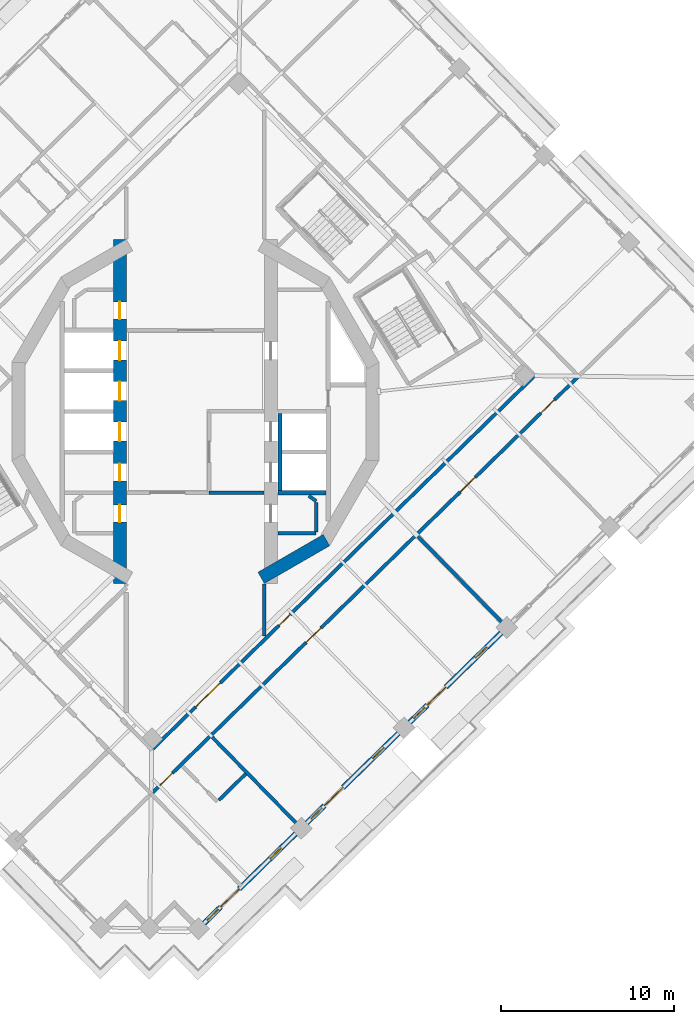
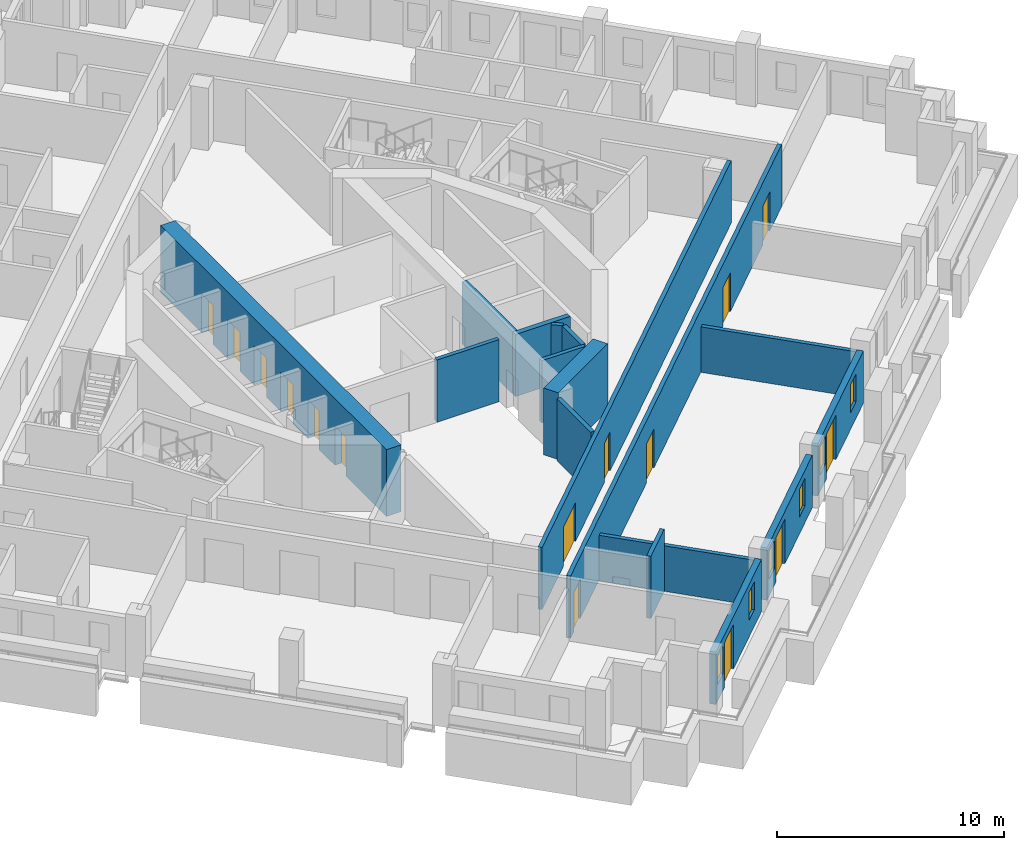
# One storey, part 6 of 17: 17 walls, 15 doors, 6 windows, 21 openings.
"""IFC4 building model written with IfcOpenShell, lengths in metres."""

from ifc_helpers import new_model, si_unit, direction, frame, frame_2d, origin, place, context, subcontext, project, spatial, rectangle, extrude, material, layer, layer_set, type_object, element, fill, save


model = new_model("IFC4")

# Units and contexts
model_context = context("Model", 3, precision=1e-05, world=origin(), true_north=direction((0.0, 1.0)))
body_context = subcontext(model_context, "Body", "Model", "MODEL_VIEW")
ifc_project = project(units=[si_unit("LENGTHUNIT", "METRE"), si_unit("AREAUNIT", "SQUARE_METRE"), si_unit("VOLUMEUNIT", "CUBIC_METRE"), si_unit("PLANEANGLEUNIT", "RADIAN"), si_unit("MASSUNIT", "GRAM", prefix="KILO")], contexts=[model_context])

# Site, building, storey
site_placement = place(None, origin())
site = spatial("IfcSite", under=ifc_project, at=site_placement, CompositionType="ELEMENT")
building_placement = place(site_placement, origin())
building = spatial("IfcBuilding", under=site, at=building_placement, Name="Cantera Rosa Tower", CompositionType="ELEMENT")
storey_placement = place(building_placement, frame((0.0, 0.0, 237.800048828125)))
storey = spatial("IfcBuildingStorey", under=building, at=storey_placement, Name="L52", CompositionType="ELEMENT", Elevation=237.800048828125)

# Wall, openings, doors
ifc_material_1 = material(Name="Gypsum board partition")
ifc_layer_1 = layer(ifc_material_1, 0.199951171875)
ifc_layer_set_1 = layer_set([ifc_layer_1], Name="CORRIDOR WALL 200 H3350")
wall_type_1 = type_object("IfcWallType", Name="CORRIDOR WALL 200 H3350", PredefinedType="PARTITIONING", material=ifc_layer_set_1)
wall_1_placement = place(storey_placement, frame((-2.469970703125, -22.0556640625, 0.0), z_axis=(0.0, 0.0, 1.0), x_axis=(0.715286619748, 0.698831203946, 0.0)))
wall_1 = element("IfcWall", 1, at=wall_1_placement, inside=storey, type_object=wall_type_1, Name="CORRIDOR WALL L52-057", PredefinedType="PARTITIONING", context=body_context, shape_type="SweptSolid", body=[
    extrude(rectangle(XDim=34.47998046875, YDim=0.199951171875, at=frame_2d((17.239990234375, 0.0))), origin(), (0.0, 0.0, 1.0), 3.349853515625),
])
opening_1_placement = place(wall_1_placement, frame((12.419921875, 0.0, 0.0)))
opening_1 = element("IfcOpeningElement", 2, at=opening_1_placement, cuts=wall_1, Name="Opening L52-047", PredefinedType="OPENING", context=body_context, shape_type="SweptSolid", body=[
    extrude(rectangle(XDim=1.199951171875, YDim=2.10009765625, at=frame_2d((0.60009765625, 1.050048828125))), frame((0.0, 0.10986328125, 0.0), z_axis=(0.0, -1.0, 0.0), x_axis=(1.0, 0.0, 0.0)), (0.0, 0.0, 1.0), 0.219970703125),
])
opening_2_placement = place(wall_1_placement, frame((24.89990234375, 0.0, 0.0)))
opening_2 = element("IfcOpeningElement", 3, at=opening_2_placement, cuts=wall_1, Name="Opening L52-048", PredefinedType="OPENING", context=body_context, shape_type="SweptSolid", body=[
    extrude(rectangle(XDim=1.199951171875, YDim=2.10009765625, at=frame_2d((0.60009765625, 1.050048828125))), frame((0.0, 0.10986328125, 0.0), z_axis=(0.0, -1.0, 0.0), x_axis=(1.0, 0.0, 0.0)), (0.0, 0.0, 1.0), 0.219970703125),
])
opening_3_placement = place(wall_1_placement, frame((0.590087890625, 0.0, 0.0)))
opening_3 = element("IfcOpeningElement", 4, at=opening_3_placement, cuts=wall_1, Name="Opening L52-049", PredefinedType="OPENING", context=body_context, shape_type="SweptSolid", body=[
    extrude(rectangle(XDim=1.0, YDim=2.10009765625, at=frame_2d((0.5, 1.050048828125))), frame((0.0, 0.10986328125, 0.0), z_axis=(0.0, -1.0, 0.0), x_axis=(1.0, 0.0, 0.0)), (0.0, 0.0, 1.0), 0.219970703125),
])
opening_4_placement = place(wall_1_placement, frame((31.429931640625, 0.0, 0.0)))
opening_4 = element("IfcOpeningElement", 5, at=opening_4_placement, cuts=wall_1, Name="Opening L52-052", PredefinedType="OPENING", context=body_context, shape_type="SweptSolid", body=[
    extrude(rectangle(XDim=1.10009765625, YDim=2.10009765625, at=frame_2d((0.550048828125, 1.050048828125))), frame((0.0, 0.10986328125, 0.0), z_axis=(0.0, -1.0, 0.0), x_axis=(1.0, 0.0, 0.0)), (0.0, 0.0, 1.0), 0.219970703125),
])
ifc_material_2 = material(Name="Timber door leaf", Category="wood")
door_type_1 = type_object("IfcDoorType", Name="ENTRANCE DOOR 1000x2100", OperationType="NOTDEFINED", PredefinedType="DOOR", material=ifc_material_2)
door_1_placement = place(opening_3_placement, origin())
door_1 = element("IfcDoor", 6, at=door_1_placement, inside=storey, type_object=door_type_1, Name="DOOR L52-049", OperationType="NOTDEFINED", OverallHeight=2.10009765625, OverallWidth=1.0, PredefinedType="DOOR", context=body_context, shape_type="SweptSolid", body=[
    extrude(rectangle(XDim=1.0, YDim=2.10009765625, at=frame_2d((0.5, 1.050048828125))), frame((0.0, 0.02490234375, 0.0), z_axis=(0.0, -1.0, 0.0), x_axis=(1.0, 0.0, 0.0)), (0.0, 0.0, 1.0), 0.050048828125),
])
fill(opening_3, door_1)
ifc_material_3 = material(Name="Timber door leaf", Category="wood")
door_type_2 = type_object("IfcDoorType", Name="ROOM DOOR 1100x2100", OperationType="NOTDEFINED", PredefinedType="DOOR", material=ifc_material_3)
door_2_placement = place(opening_4_placement, origin())
door_2 = element("IfcDoor", 7, at=door_2_placement, inside=storey, type_object=door_type_2, Name="DOOR L52-052", OperationType="NOTDEFINED", OverallHeight=2.10009765625, OverallWidth=1.10009765625, PredefinedType="DOOR", context=body_context, shape_type="SweptSolid", body=[
    extrude(rectangle(XDim=1.10009765625, YDim=2.10009765625, at=frame_2d((0.550048828125, 1.050048828125))), frame((0.0, 0.02490234375, 0.0), z_axis=(0.0, -1.0, 0.0), x_axis=(1.0, 0.0, 0.0)), (0.0, 0.0, 1.0), 0.050048828125),
])
fill(opening_4, door_2)
ifc_material_4 = material(Name="Timber door leaf", Category="wood")
door_type_3 = type_object("IfcDoorType", Name="ROOM DOOR 1200x2100", OperationType="NOTDEFINED", PredefinedType="DOOR", material=ifc_material_4)
door_3_placement = place(opening_1_placement, origin())
door_3 = element("IfcDoor", 8, at=door_3_placement, inside=storey, type_object=door_type_3, Name="DOOR L52-047", OperationType="NOTDEFINED", OverallHeight=2.10009765625, OverallWidth=1.199951171875, PredefinedType="DOOR", context=body_context, shape_type="SweptSolid", body=[
    extrude(rectangle(XDim=1.199951171875, YDim=2.10009765625, at=frame_2d((0.60009765625, 1.050048828125))), frame((0.0, 0.02490234375, 0.0), z_axis=(0.0, -1.0, 0.0), x_axis=(1.0, 0.0, 0.0)), (0.0, 0.0, 1.0), 0.050048828125),
])
fill(opening_1, door_3)
door_4_placement = place(opening_2_placement, origin())
door_4 = element("IfcDoor", 9, at=door_4_placement, inside=storey, type_object=door_type_3, Name="DOOR L52-048", OperationType="NOTDEFINED", OverallHeight=2.10009765625, OverallWidth=1.199951171875, PredefinedType="DOOR", context=body_context, shape_type="SweptSolid", body=[
    extrude(rectangle(XDim=1.199951171875, YDim=2.10009765625, at=frame_2d((0.60009765625, 1.050048828125))), frame((0.0, 0.02490234375, 0.0), z_axis=(0.0, -1.0, 0.0), x_axis=(1.0, 0.0, 0.0)), (0.0, 0.0, 1.0), 0.050048828125),
])
fill(opening_2, door_4)

wall_2_placement = place(storey_placement, frame((-2.45458984375, -19.5244140625, 0.0), z_axis=(0.0, 0.0, 1.0), x_axis=(0.715283867267, 0.698834021229, 0.0)))
wall_2 = element("IfcWall", 10, at=wall_2_placement, inside=storey, type_object=wall_type_1, Name="CORRIDOR WALL L52-058", PredefinedType="PARTITIONING", context=body_context, shape_type="SweptSolid", body=[
    extrude(rectangle(XDim=30.900146484375, YDim=0.199951171875, at=frame_2d((15.4501953125, 0.0))), origin(), (0.0, 0.0, 1.0), 3.349853515625),
])
opening_5_placement = place(wall_2_placement, frame((10.20458984375, 0.0, 0.0)))
opening_5 = element("IfcOpeningElement", 11, at=opening_5_placement, cuts=wall_2, Name="Opening L52-011", PredefinedType="OPENING", context=body_context, shape_type="SweptSolid", body=[
    extrude(rectangle(XDim=0.89990234375, YDim=2.10009765625, at=frame_2d((0.449951171875, 1.050048828125))), frame((0.0, 0.10986328125, 0.0), z_axis=(0.0, -1.0, 0.0), x_axis=(1.0, 0.0, 0.0)), (0.0, 0.0, 1.0), 0.219970703125),
])
opening_6_placement = place(wall_2_placement, frame((3.4619140625, 0.0, 0.0)))
opening_6 = element("IfcOpeningElement", 12, at=opening_6_placement, cuts=wall_2, Name="Opening L52-014", PredefinedType="OPENING", context=body_context, shape_type="SweptSolid", body=[
    extrude(rectangle(XDim=2.0, YDim=2.10009765625, at=frame_2d((1.0, 1.050048828125))), frame((0.0, 0.10986328125, 0.0), z_axis=(0.0, -1.0, 0.0), x_axis=(1.0, 0.0, 0.0)), (0.0, 0.0, 1.0), 0.219970703125),
])
ifc_material_5 = material(Name="Steel S355J2 (EN 10025-2)", Category="steel")
door_type_4 = type_object("IfcDoorType", Name="LOBBY SCREEN DOOR 2000x2100", OperationType="NOTDEFINED", PredefinedType="DOOR", material=ifc_material_5)
door_5_placement = place(opening_6_placement, origin())
door_5 = element("IfcDoor", 13, at=door_5_placement, inside=storey, type_object=door_type_4, Name="DOOR L52-014", OperationType="NOTDEFINED", OverallHeight=2.10009765625, OverallWidth=2.0, PredefinedType="DOOR", context=body_context, shape_type="SweptSolid", body=[
    extrude(rectangle(XDim=2.0, YDim=2.10009765625, at=frame_2d((1.0, 1.050048828125))), frame((0.0, 0.02490234375, 0.0), z_axis=(0.0, -1.0, 0.0), x_axis=(1.0, 0.0, 0.0)), (0.0, 0.0, 1.0), 0.050048828125),
])
fill(opening_6, door_5)
ifc_material_6 = material(Name="Timber door leaf", Category="wood")
door_type_5 = type_object("IfcDoorType", Name="SERVICE DOOR 900x2100", OperationType="NOTDEFINED", PredefinedType="DOOR", material=ifc_material_6)
door_6_placement = place(opening_5_placement, origin())
door_6 = element("IfcDoor", 14, at=door_6_placement, inside=storey, type_object=door_type_5, Name="DOOR L52-011", OperationType="NOTDEFINED", OverallHeight=2.10009765625, OverallWidth=0.89990234375, PredefinedType="DOOR", context=body_context, shape_type="SweptSolid", body=[
    extrude(rectangle(XDim=0.89990234375, YDim=2.10009765625, at=frame_2d((0.449951171875, 1.050048828125))), frame((0.0, 0.02490234375, 0.0), z_axis=(0.0, -1.0, 0.0), x_axis=(1.0, 0.0, 0.0)), (0.0, 0.0, 1.0), 0.050048828125),
])
fill(opening_5, door_6)

# Wall
wall_3_placement = place(storey_placement, frame((4.0, -12.998046875, 0.0), z_axis=(0.0, 0.0, 1.0), x_axis=(0.0, 1.0, 0.0)))
element("IfcWall", 15, at=wall_3_placement, inside=storey, type_object=wall_type_1, Name="CORRIDOR WALL L52-070", PredefinedType="PARTITIONING", context=body_context, shape_type="SweptSolid", body=[
    extrude(rectangle(XDim=3.00390625, YDim=0.199951171875, at=frame_2d((1.501953125, 0.0))), origin(), (0.0, 0.0, 1.0), 3.349853515625),
])

# Wall, openings, windows, door
ifc_material_7 = material(Name="Hollow clay masonry with cantera stone cladding", Category="masonry")
ifc_layer_2 = layer(ifc_material_7, 0.300048828125)
ifc_layer_set_2 = layer_set([ifc_layer_2], Name="EW-LOGGIA 300 H2820")
wall_type_2 = type_object("IfcWallType", Name="EW-LOGGIA 300 H2820", PredefinedType="SOLIDWALL", material=ifc_layer_set_2)
wall_4_placement = place(storey_placement, frame((0.503662109375, -29.6357421875, 0.0), z_axis=(0.0, 0.0, 1.0), x_axis=(0.715284379566, 0.698833496871, 0.0)))
wall_4 = element("IfcWall", 16, at=wall_4_placement, inside=storey, type_object=wall_type_2, Name="EN-L52-W21", PredefinedType="SOLIDWALL", context=body_context, shape_type="SweptSolid", body=[
    extrude(rectangle(XDim=7.42041015625, YDim=0.300048828125, at=frame_2d((3.710205078125, 0.0))), origin(), (0.0, 0.0, 1.0), 2.820068359375),
])
opening_7_placement = place(wall_4_placement, frame((0.25, 0.0, 0.89990234375)))
opening_7 = element("IfcOpeningElement", 17, at=opening_7_placement, cuts=wall_4, Name="Opening L52-W37", PredefinedType="OPENING", context=body_context, shape_type="SweptSolid", body=[
    extrude(rectangle(XDim=0.89990234375, YDim=1.5, at=frame_2d((0.449951171875, 0.75))), frame((0.0, 0.159912109375, 0.0), z_axis=(0.0, -1.0, 0.0), x_axis=(1.0, 0.0, 0.0)), (0.0, 0.0, 1.0), 0.320068359375),
])
opening_8_placement = place(wall_4_placement, frame((1.35009765625, 0.0, 0.0)))
opening_8 = element("IfcOpeningElement", 18, at=opening_8_placement, cuts=wall_4, Name="Opening L52-TD38", PredefinedType="OPENING", context=body_context, shape_type="SweptSolid", body=[
    extrude(rectangle(XDim=1.5, YDim=2.39990234375, at=frame_2d((0.75, 1.199951171875))), frame((0.0, 0.159912109375, 0.0), z_axis=(0.0, -1.0, 0.0), x_axis=(1.0, 0.0, 0.0)), (0.0, 0.0, 1.0), 0.320068359375),
])
opening_9_placement = place(wall_4_placement, frame((5.340087890625, 0.0, 0.89990234375)))
opening_9 = element("IfcOpeningElement", 19, at=opening_9_placement, cuts=wall_4, Name="Opening L52-W39", PredefinedType="OPENING", context=body_context, shape_type="SweptSolid", body=[
    extrude(rectangle(XDim=0.89990234375, YDim=1.5, at=frame_2d((0.449951171875, 0.75))), frame((0.0, 0.159912109375, 0.0), z_axis=(0.0, -1.0, 0.0), x_axis=(1.0, 0.0, 0.0)), (0.0, 0.0, 1.0), 0.320068359375),
])
ifc_material_8 = material(Name="Aluminium frame with clear glass", Category="aluminium")
window_type = type_object("IfcWindowType", Name="Residential window 900x1500", PartitioningType="SINGLE_PANEL", PredefinedType="WINDOW", material=ifc_material_8)
window_1_placement = place(opening_7_placement, origin())
window_1 = element("IfcWindow", 20, at=window_1_placement, inside=storey, type_object=window_type, Name="WINDOW L52-W37", OverallHeight=1.5, OverallWidth=0.89990234375, PartitioningType="SINGLE_PANEL", PredefinedType="WINDOW", context=body_context, shape_type="SweptSolid", body=[
    extrude(rectangle(XDim=0.89990234375, YDim=1.5, at=frame_2d((0.449951171875, 0.75))), frame((0.0, 0.030029296875, 0.0), z_axis=(0.0, -1.0, 0.0), x_axis=(1.0, 0.0, 0.0)), (0.0, 0.0, 1.0), 0.06005859375),
])
fill(opening_7, window_1)
window_2_placement = place(opening_9_placement, origin())
window_2 = element("IfcWindow", 21, at=window_2_placement, inside=storey, type_object=window_type, Name="WINDOW L52-W39", OverallHeight=1.5, OverallWidth=0.89990234375, PartitioningType="SINGLE_PANEL", PredefinedType="WINDOW", context=body_context, shape_type="SweptSolid", body=[
    extrude(rectangle(XDim=0.89990234375, YDim=1.5, at=frame_2d((0.449951171875, 0.75))), frame((0.0, 0.030029296875, 0.0), z_axis=(0.0, -1.0, 0.0), x_axis=(1.0, 0.0, 0.0)), (0.0, 0.0, 1.0), 0.06005859375),
])
fill(opening_9, window_2)
ifc_material_9 = material(Name="Aluminium frame with clear glass", Category="aluminium")
door_type_6 = type_object("IfcDoorType", Name="TD-R 1500x2400", OperationType="NOTDEFINED", PredefinedType="DOOR", material=ifc_material_9)
door_7_placement = place(opening_8_placement, origin())
door_7 = element("IfcDoor", 22, at=door_7_placement, inside=storey, type_object=door_type_6, Name="LOGGIA DOOR L52-TD38", OperationType="SLIDING_TO_LEFT", OverallHeight=2.39990234375, OverallWidth=1.5, PredefinedType="DOOR", context=body_context, shape_type="SweptSolid", body=[
    extrude(rectangle(XDim=1.5, YDim=2.39990234375, at=frame_2d((0.75, 1.199951171875))), frame((0.0, 0.02490234375, 0.0), z_axis=(0.0, -1.0, 0.0), x_axis=(1.0, 0.0, 0.0)), (0.0, 0.0, 1.0), 0.050048828125),
])
fill(opening_8, door_7)

wall_5_placement = place(storey_placement, frame((6.454833984375, -23.8212890625, 0.0), z_axis=(0.0, 0.0, 1.0), x_axis=(0.715300826176, 0.698816662703, 0.0)))
wall_5 = element("IfcWall", 23, at=wall_5_placement, inside=storey, type_object=wall_type_2, Name="EN-L52-W22", PredefinedType="SOLIDWALL", context=body_context, shape_type="SweptSolid", body=[
    extrude(rectangle(XDim=7.420166015625, YDim=0.300048828125, at=frame_2d((3.7099609375, 0.0))), origin(), (0.0, 0.0, 1.0), 2.820068359375),
])
opening_10_placement = place(wall_5_placement, frame((0.330078125, 0.0, 0.89990234375)))
opening_10 = element("IfcOpeningElement", 24, at=opening_10_placement, cuts=wall_5, Name="Opening L52-W40", PredefinedType="OPENING", context=body_context, shape_type="SweptSolid", body=[
    extrude(rectangle(XDim=0.89990234375, YDim=1.5, at=frame_2d((0.449951171875, 0.75))), frame((0.0, 0.159912109375, 0.0), z_axis=(0.0, -1.0, 0.0), x_axis=(1.0, 0.0, 0.0)), (0.0, 0.0, 1.0), 0.320068359375),
])
opening_11_placement = place(wall_5_placement, frame((1.429931640625, 0.0, 0.0)))
opening_11 = element("IfcOpeningElement", 25, at=opening_11_placement, cuts=wall_5, Name="Opening L52-TD41", PredefinedType="OPENING", context=body_context, shape_type="SweptSolid", body=[
    extrude(rectangle(XDim=1.5, YDim=2.39990234375, at=frame_2d((0.75, 1.199951171875))), frame((0.0, 0.159912109375, 0.0), z_axis=(0.0, -1.0, 0.0), x_axis=(1.0, 0.0, 0.0)), (0.0, 0.0, 1.0), 0.320068359375),
])
opening_12_placement = place(wall_5_placement, frame((5.340087890625, 0.0, 0.89990234375)))
opening_12 = element("IfcOpeningElement", 26, at=opening_12_placement, cuts=wall_5, Name="Opening L52-W42", PredefinedType="OPENING", context=body_context, shape_type="SweptSolid", body=[
    extrude(rectangle(XDim=0.89990234375, YDim=1.5, at=frame_2d((0.449951171875, 0.75))), frame((0.0, 0.159912109375, 0.0), z_axis=(0.0, -1.0, 0.0), x_axis=(1.0, 0.0, 0.0)), (0.0, 0.0, 1.0), 0.320068359375),
])
window_3_placement = place(opening_10_placement, origin())
window_3 = element("IfcWindow", 27, at=window_3_placement, inside=storey, type_object=window_type, Name="WINDOW L52-W40", OverallHeight=1.5, OverallWidth=0.89990234375, PartitioningType="SINGLE_PANEL", PredefinedType="WINDOW", context=body_context, shape_type="SweptSolid", body=[
    extrude(rectangle(XDim=0.89990234375, YDim=1.5, at=frame_2d((0.449951171875, 0.75))), frame((0.0, 0.030029296875, 0.0), z_axis=(0.0, -1.0, 0.0), x_axis=(1.0, 0.0, 0.0)), (0.0, 0.0, 1.0), 0.06005859375),
])
fill(opening_10, window_3)
window_4_placement = place(opening_12_placement, origin())
window_4 = element("IfcWindow", 28, at=window_4_placement, inside=storey, type_object=window_type, Name="WINDOW L52-W42", OverallHeight=1.5, OverallWidth=0.89990234375, PartitioningType="SINGLE_PANEL", PredefinedType="WINDOW", context=body_context, shape_type="SweptSolid", body=[
    extrude(rectangle(XDim=0.89990234375, YDim=1.5, at=frame_2d((0.449951171875, 0.75))), frame((0.0, 0.030029296875, 0.0), z_axis=(0.0, -1.0, 0.0), x_axis=(1.0, 0.0, 0.0)), (0.0, 0.0, 1.0), 0.06005859375),
])
fill(opening_12, window_4)
door_8_placement = place(opening_11_placement, origin())
door_8 = element("IfcDoor", 29, at=door_8_placement, inside=storey, type_object=door_type_6, Name="LOGGIA DOOR L52-TD41", OperationType="SLIDING_TO_LEFT", OverallHeight=2.39990234375, OverallWidth=1.5, PredefinedType="DOOR", context=body_context, shape_type="SweptSolid", body=[
    extrude(rectangle(XDim=1.5, YDim=2.39990234375, at=frame_2d((0.75, 1.199951171875))), frame((0.0, 0.02490234375, 0.0), z_axis=(0.0, -1.0, 0.0), x_axis=(1.0, 0.0, 0.0)), (0.0, 0.0, 1.0), 0.050048828125),
])
fill(opening_11, door_8)

wall_6_placement = place(storey_placement, frame((12.406005859375, -18.007080078125, 0.0), z_axis=(0.0, 0.0, 1.0), x_axis=(0.715300826176, 0.698816662703, 0.0)))
wall_6 = element("IfcWall", 30, at=wall_6_placement, inside=storey, type_object=wall_type_2, Name="EN-L52-W23", PredefinedType="SOLIDWALL", context=body_context, shape_type="SweptSolid", body=[
    extrude(rectangle(XDim=7.420166015625, YDim=0.300048828125, at=frame_2d((3.7099609375, 0.0))), origin(), (0.0, 0.0, 1.0), 2.820068359375),
])
opening_13_placement = place(wall_6_placement, frame((0.330078125, 0.0, 0.89990234375)))
opening_13 = element("IfcOpeningElement", 31, at=opening_13_placement, cuts=wall_6, Name="Opening L52-W43", PredefinedType="OPENING", context=body_context, shape_type="SweptSolid", body=[
    extrude(rectangle(XDim=0.89990234375, YDim=1.5, at=frame_2d((0.449951171875, 0.75))), frame((0.0, 0.159912109375, 0.0), z_axis=(0.0, -1.0, 0.0), x_axis=(1.0, 0.0, 0.0)), (0.0, 0.0, 1.0), 0.320068359375),
])
opening_14_placement = place(wall_6_placement, frame((1.429931640625, 0.0, 0.0)))
opening_14 = element("IfcOpeningElement", 32, at=opening_14_placement, cuts=wall_6, Name="Opening L52-TD44", PredefinedType="OPENING", context=body_context, shape_type="SweptSolid", body=[
    extrude(rectangle(XDim=1.5, YDim=2.39990234375, at=frame_2d((0.75, 1.199951171875))), frame((0.0, 0.159912109375, 0.0), z_axis=(0.0, -1.0, 0.0), x_axis=(1.0, 0.0, 0.0)), (0.0, 0.0, 1.0), 0.320068359375),
])
opening_15_placement = place(wall_6_placement, frame((5.340087890625, 0.0, 0.89990234375)))
opening_15 = element("IfcOpeningElement", 33, at=opening_15_placement, cuts=wall_6, Name="Opening L52-W45", PredefinedType="OPENING", context=body_context, shape_type="SweptSolid", body=[
    extrude(rectangle(XDim=0.89990234375, YDim=1.5, at=frame_2d((0.449951171875, 0.75))), frame((0.0, 0.159912109375, 0.0), z_axis=(0.0, -1.0, 0.0), x_axis=(1.0, 0.0, 0.0)), (0.0, 0.0, 1.0), 0.320068359375),
])
window_5_placement = place(opening_13_placement, origin())
window_5 = element("IfcWindow", 34, at=window_5_placement, inside=storey, type_object=window_type, Name="WINDOW L52-W43", OverallHeight=1.5, OverallWidth=0.89990234375, PartitioningType="SINGLE_PANEL", PredefinedType="WINDOW", context=body_context, shape_type="SweptSolid", body=[
    extrude(rectangle(XDim=0.89990234375, YDim=1.5, at=frame_2d((0.449951171875, 0.75))), frame((0.0, 0.030029296875, 0.0), z_axis=(0.0, -1.0, 0.0), x_axis=(1.0, 0.0, 0.0)), (0.0, 0.0, 1.0), 0.06005859375),
])
fill(opening_13, window_5)
window_6_placement = place(opening_15_placement, origin())
window_6 = element("IfcWindow", 35, at=window_6_placement, inside=storey, type_object=window_type, Name="WINDOW L52-W45", OverallHeight=1.5, OverallWidth=0.89990234375, PartitioningType="SINGLE_PANEL", PredefinedType="WINDOW", context=body_context, shape_type="SweptSolid", body=[
    extrude(rectangle(XDim=0.89990234375, YDim=1.5, at=frame_2d((0.449951171875, 0.75))), frame((0.0, 0.030029296875, 0.0), z_axis=(0.0, -1.0, 0.0), x_axis=(1.0, 0.0, 0.0)), (0.0, 0.0, 1.0), 0.06005859375),
])
fill(opening_15, window_6)
door_9_placement = place(opening_14_placement, origin())
door_9 = element("IfcDoor", 36, at=door_9_placement, inside=storey, type_object=door_type_6, Name="LOGGIA DOOR L52-TD44", OperationType="SLIDING_TO_LEFT", OverallHeight=2.39990234375, OverallWidth=1.5, PredefinedType="DOOR", context=body_context, shape_type="SweptSolid", body=[
    extrude(rectangle(XDim=1.5, YDim=2.39990234375, at=frame_2d((0.75, 1.199951171875))), frame((0.0, 0.02490234375, 0.0), z_axis=(0.0, -1.0, 0.0), x_axis=(1.0, 0.0, 0.0)), (0.0, 0.0, 1.0), 0.050048828125),
])
fill(opening_14, door_9)

# Walls
ifc_material_10 = material(Name="Gypsum board partition")
ifc_layer_3 = layer(ifc_material_10, 0.199951171875)
ifc_layer_set_3 = layer_set([ifc_layer_3], Name="PARTITION 200 H2450")
wall_type_3 = type_object("IfcWallType", Name="PARTITION 200 H2450", PredefinedType="PARTITIONING", material=ifc_layer_set_3)
wall_7_placement = place(storey_placement, frame((12.8779296875, -7.228515625, 0.0), z_axis=(0.0, 0.0, 1.0), x_axis=(0.698837952642, -0.715280026246, 0.0)))
element("IfcWall", 37, at=wall_7_placement, inside=storey, type_object=wall_type_3, Name="PARTITION L52-098", PredefinedType="PARTITIONING", context=body_context, shape_type="SweptSolid", body=[
    extrude(rectangle(XDim=7.35009765625, YDim=0.199951171875, at=frame_2d((3.675048828125, 0.0))), origin(), (0.0, 0.0, 1.0), 2.449951171875),
])
ifc_material_11 = material(Name="Gypsum board partition")
ifc_layer_4 = layer(ifc_material_11, 0.199951171875)
ifc_layer_set_4 = layer_set([ifc_layer_4], Name="PARTITION 200 H3350")
wall_type_4 = type_object("IfcWallType", Name="PARTITION 200 H3350", PredefinedType="PARTITIONING", material=ifc_layer_set_4)
wall_8_placement = place(storey_placement, frame((2.916748046875, -20.98681640625, 0.0), z_axis=(0.0, 0.0, 1.0), x_axis=(-0.715234272025, -0.69888478029, 0.0)))
element("IfcWall", 38, at=wall_8_placement, inside=storey, type_object=wall_type_4, Name="PARTITION L52-068", PredefinedType="PARTITIONING", context=body_context, shape_type="SweptSolid", body=[
    extrude(rectangle(XDim=2.18017578125, YDim=0.199951171875, at=frame_2d((1.090087890625, 0.0))), origin(), (0.0, 0.0, 1.0), 3.349853515625),
])
wall_9_placement = place(storey_placement, frame((6.572509765625, -4.888427734375, 0.0), z_axis=(0.0, 0.0, 1.0), x_axis=(0.808176867567, -0.588939853236, 0.0)))
element("IfcWall", 39, at=wall_9_placement, inside=storey, type_object=wall_type_4, Name="PARTITION L52-079", PredefinedType="PARTITIONING", context=body_context, shape_type="SweptSolid", body=[
    extrude(rectangle(XDim=0.529052734375, YDim=0.199951171875, at=frame_2d((0.2646484375, 0.0))), origin(), (0.0, 0.0, 1.0), 3.349853515625),
])
wall_10_placement = place(storey_placement, frame((7.0, -7.050048828125, 0.0), z_axis=(0.0, 0.0, 1.0), x_axis=(-1.0, 0.0, 0.0)))
element("IfcWall", 40, at=wall_10_placement, inside=storey, type_object=wall_type_4, Name="PARTITION L52-080", PredefinedType="PARTITIONING", context=body_context, shape_type="SweptSolid", body=[
    extrude(rectangle(XDim=2.219970703125, YDim=0.199951171875, at=frame_2d((1.10986328125, 0.0))), origin(), (0.0, 0.0, 1.0), 3.349853515625),
])
wall_11_placement = place(storey_placement, frame((7.0, -5.280029296875, 0.0), z_axis=(0.0, 0.0, 1.0), x_axis=(0.0, -1.0, 0.0)))
element("IfcWall", 41, at=wall_11_placement, inside=storey, type_object=wall_type_4, Name="PARTITION L52-081", PredefinedType="PARTITIONING", context=body_context, shape_type="SweptSolid", body=[
    extrude(rectangle(XDim=1.68994140625, YDim=0.199951171875, at=frame_2d((0.844970703125, 0.0))), origin(), (0.0, 0.0, 1.0), 3.349853515625),
])
ifc_material_12 = material(Name="Gypsum board partition")
ifc_layer_5 = layer(ifc_material_12, 0.199951171875)
ifc_layer_set_5 = layer_set([ifc_layer_5], Name="PARTY WALL 200 H2450")
wall_type_5 = type_object("IfcWallType", Name="PARTY WALL 200 H2450", PredefinedType="PARTITIONING", material=ifc_layer_set_5)
wall_12_placement = place(storey_placement, frame((6.112060546875, -24.114501953125, 0.0), z_axis=(0.0, 0.0, 1.0), x_axis=(-0.698821349183, 0.715296247667, 0.0)))
element("IfcWall", 42, at=wall_12_placement, inside=storey, type_object=wall_type_5, Name="PARTY WALL L52-078", PredefinedType="PARTITIONING", context=body_context, shape_type="SweptSolid", body=[
    extrude(rectangle(XDim=7.35009765625, YDim=0.199951171875, at=frame_2d((3.675048828125, 0.0))), origin(), (0.0, 0.0, 1.0), 2.449951171875),
])

# Wall, openings, doors
ifc_material_13 = material(Name="Concrete C60/75", Category="concrete")
ifc_layer_6 = layer(ifc_material_13, 0.75)
ifc_layer_set_6 = layer_set([ifc_layer_6], Name="RC CORE WALL 750 C60/75")
wall_type_6 = type_object("IfcWallType", Name="RC CORE WALL 750 C60/75", PredefinedType="SHEAR", material=ifc_layer_set_6)
wall_13_placement = place(storey_placement, frame((-4.375, 9.95947265625, 0.0), z_axis=(0.0, 0.0, 1.0), x_axis=(0.0, -1.0, 0.0)))
wall_13 = element("IfcWall", 43, at=wall_13_placement, inside=storey, type_object=wall_type_6, Name="CW-W6 L52", PredefinedType="SHEAR", context=body_context, shape_type="SweptSolid", body=[
    extrude(rectangle(XDim=19.9189453125, YDim=0.75, at=frame_2d((9.95947265625, 0.0))), origin(), (0.0, 0.0, 1.0), 3.599853515625),
])
opening_16_placement = place(wall_13_placement, frame((10.58447265625, 0.0, 0.0)))
opening_16 = element("IfcOpeningElement", 44, at=opening_16_placement, cuts=wall_13, Name="Opening LD-H1-L52", PredefinedType="OPENING", context=body_context, shape_type="SweptSolid", body=[
    extrude(rectangle(XDim=1.10009765625, YDim=2.10009765625, at=frame_2d((0.550048828125, 1.050048828125))), frame((0.0, 0.385009765625, 0.0), z_axis=(0.0, -1.0, 0.0), x_axis=(1.0, 0.0, 0.0)), (0.0, 0.0, 1.0), 0.77001953125),
])
opening_17_placement = place(wall_13_placement, frame((8.234619140625, 0.0, 0.0)))
opening_17 = element("IfcOpeningElement", 45, at=opening_17_placement, cuts=wall_13, Name="Opening LD-H2-L52", PredefinedType="OPENING", context=body_context, shape_type="SweptSolid", body=[
    extrude(rectangle(XDim=1.10009765625, YDim=2.10009765625, at=frame_2d((0.550048828125, 1.050048828125))), frame((0.0, 0.385009765625, 0.0), z_axis=(0.0, -1.0, 0.0), x_axis=(1.0, 0.0, 0.0)), (0.0, 0.0, 1.0), 0.77001953125),
])
opening_18_placement = place(wall_13_placement, frame((5.884521484375, 0.0, 0.0)))
opening_18 = element("IfcOpeningElement", 46, at=opening_18_placement, cuts=wall_13, Name="Opening LD-H3-L52", PredefinedType="OPENING", context=body_context, shape_type="SweptSolid", body=[
    extrude(rectangle(XDim=1.10009765625, YDim=2.10009765625, at=frame_2d((0.550048828125, 1.050048828125))), frame((0.0, 0.385009765625, 0.0), z_axis=(0.0, -1.0, 0.0), x_axis=(1.0, 0.0, 0.0)), (0.0, 0.0, 1.0), 0.77001953125),
])
opening_19_placement = place(wall_13_placement, frame((15.368408203125, 0.0, 0.0)))
opening_19 = element("IfcOpeningElement", 47, at=opening_19_placement, cuts=wall_13, Name="Opening SD-L52-17", PredefinedType="OPENING", context=body_context, shape_type="SweptSolid", body=[
    extrude(rectangle(XDim=1.0, YDim=2.10009765625, at=frame_2d((0.5, 1.050048828125))), frame((0.0, 0.385009765625, 0.0), z_axis=(0.0, -1.0, 0.0), x_axis=(1.0, 0.0, 0.0)), (0.0, 0.0, 1.0), 0.77001953125),
])
opening_20_placement = place(wall_13_placement, frame((3.618408203125, 0.0, 0.0)))
opening_20 = element("IfcOpeningElement", 48, at=opening_20_placement, cuts=wall_13, Name="Opening SD-L52-18", PredefinedType="OPENING", context=body_context, shape_type="SweptSolid", body=[
    extrude(rectangle(XDim=1.0, YDim=2.10009765625, at=frame_2d((0.5, 1.050048828125))), frame((0.0, 0.385009765625, 0.0), z_axis=(0.0, -1.0, 0.0), x_axis=(1.0, 0.0, 0.0)), (0.0, 0.0, 1.0), 0.77001953125),
])
opening_21_placement = place(wall_13_placement, frame((12.984619140625, 0.0, 0.0)))
opening_21 = element("IfcOpeningElement", 49, at=opening_21_placement, cuts=wall_13, Name="Opening SD-L52-19", PredefinedType="OPENING", context=body_context, shape_type="SweptSolid", body=[
    extrude(rectangle(XDim=1.0, YDim=2.10009765625, at=frame_2d((0.5, 1.050048828125))), frame((0.0, 0.385009765625, 0.0), z_axis=(0.0, -1.0, 0.0), x_axis=(1.0, 0.0, 0.0)), (0.0, 0.0, 1.0), 0.77001953125),
])
ifc_material_14 = material(Name="Steel S355J2 (EN 10025-2)", Category="steel")
door_type_7 = type_object("IfcDoorType", Name="LANDING DOOR 1100x2100", OperationType="NOTDEFINED", PredefinedType="DOOR", material=ifc_material_14)
door_10_placement = place(opening_16_placement, origin())
door_10 = element("IfcDoor", 50, at=door_10_placement, inside=storey, type_object=door_type_7, Name="LANDING DOOR H1 L52", OperationType="SLIDING_TO_LEFT", OverallHeight=2.10009765625, OverallWidth=1.10009765625, PredefinedType="DOOR", context=body_context, shape_type="SweptSolid", body=[
    extrude(rectangle(XDim=1.10009765625, YDim=2.10009765625, at=frame_2d((0.550048828125, 1.050048828125))), frame((0.0, 0.02490234375, 0.0), z_axis=(0.0, -1.0, 0.0), x_axis=(1.0, 0.0, 0.0)), (0.0, 0.0, 1.0), 0.050048828125),
])
fill(opening_16, door_10)
door_11_placement = place(opening_17_placement, origin())
door_11 = element("IfcDoor", 51, at=door_11_placement, inside=storey, type_object=door_type_7, Name="LANDING DOOR H2 L52", OperationType="SLIDING_TO_LEFT", OverallHeight=2.10009765625, OverallWidth=1.10009765625, PredefinedType="DOOR", context=body_context, shape_type="SweptSolid", body=[
    extrude(rectangle(XDim=1.10009765625, YDim=2.10009765625, at=frame_2d((0.550048828125, 1.050048828125))), frame((0.0, 0.02490234375, 0.0), z_axis=(0.0, -1.0, 0.0), x_axis=(1.0, 0.0, 0.0)), (0.0, 0.0, 1.0), 0.050048828125),
])
fill(opening_17, door_11)
door_12_placement = place(opening_18_placement, origin())
door_12 = element("IfcDoor", 52, at=door_12_placement, inside=storey, type_object=door_type_7, Name="LANDING DOOR H3 L52", OperationType="SLIDING_TO_LEFT", OverallHeight=2.10009765625, OverallWidth=1.10009765625, PredefinedType="DOOR", context=body_context, shape_type="SweptSolid", body=[
    extrude(rectangle(XDim=1.10009765625, YDim=2.10009765625, at=frame_2d((0.550048828125, 1.050048828125))), frame((0.0, 0.02490234375, 0.0), z_axis=(0.0, -1.0, 0.0), x_axis=(1.0, 0.0, 0.0)), (0.0, 0.0, 1.0), 0.050048828125),
])
fill(opening_18, door_12)
ifc_material_15 = material(Name="Timber door leaf", Category="wood")
door_type_8 = type_object("IfcDoorType", Name="SERVICE DOOR 1000x2100", OperationType="NOTDEFINED", PredefinedType="DOOR", material=ifc_material_15)
door_13_placement = place(opening_19_placement, origin())
door_13 = element("IfcDoor", 53, at=door_13_placement, inside=storey, type_object=door_type_8, Name="DOOR L52-SD17", OperationType="NOTDEFINED", OverallHeight=2.10009765625, OverallWidth=1.0, PredefinedType="DOOR", context=body_context, shape_type="SweptSolid", body=[
    extrude(rectangle(XDim=1.0, YDim=2.10009765625, at=frame_2d((0.5, 1.050048828125))), frame((0.0, 0.02490234375, 0.0), z_axis=(0.0, -1.0, 0.0), x_axis=(1.0, 0.0, 0.0)), (0.0, 0.0, 1.0), 0.050048828125),
])
fill(opening_19, door_13)
door_14_placement = place(opening_20_placement, origin())
door_14 = element("IfcDoor", 54, at=door_14_placement, inside=storey, type_object=door_type_8, Name="DOOR L52-SD18", OperationType="NOTDEFINED", OverallHeight=2.10009765625, OverallWidth=1.0, PredefinedType="DOOR", context=body_context, shape_type="SweptSolid", body=[
    extrude(rectangle(XDim=1.0, YDim=2.10009765625, at=frame_2d((0.5, 1.050048828125))), frame((0.0, 0.02490234375, 0.0), z_axis=(0.0, -1.0, 0.0), x_axis=(1.0, 0.0, 0.0)), (0.0, 0.0, 1.0), 0.050048828125),
])
fill(opening_20, door_14)
door_15_placement = place(opening_21_placement, origin())
door_15 = element("IfcDoor", 55, at=door_15_placement, inside=storey, type_object=door_type_8, Name="DOOR L52-SD19", OperationType="NOTDEFINED", OverallHeight=2.10009765625, OverallWidth=1.0, PredefinedType="DOOR", context=body_context, shape_type="SweptSolid", body=[
    extrude(rectangle(XDim=1.0, YDim=2.10009765625, at=frame_2d((0.5, 1.050048828125))), frame((0.0, 0.02490234375, 0.0), z_axis=(0.0, -1.0, 0.0), x_axis=(1.0, 0.0, 0.0)), (0.0, 0.0, 1.0), 0.050048828125),
])
fill(opening_21, door_15)

# Walls
wall_14_placement = place(storey_placement, frame((7.590576171875, -7.453369140625, 0.0), z_axis=(0.0, 0.0, 1.0), x_axis=(-0.866013176292, -0.50002117804, 0.0)))
element("IfcWall", 56, at=wall_14_placement, inside=storey, type_object=wall_type_6, Name="CW-E5 L52", PredefinedType="SHEAR", context=body_context, shape_type="SweptSolid", body=[
    extrude(rectangle(XDim=4.362548828125, YDim=0.75, at=frame_2d((2.18115234375, 0.0))), origin(), (0.0, 0.0, 1.0), 3.599853515625),
])
ifc_material_16 = material(Name="Masonry blockwork", Category="masonry")
ifc_layer_7 = layer(ifc_material_16, 0.25)
ifc_layer_set_7 = layer_set([ifc_layer_7], Name="SHAFT WALL 250 H3350")
wall_type_7 = type_object("IfcWallType", Name="SHAFT WALL 250 H3350", PredefinedType="SOLIDWALL", material=ifc_layer_set_7)
wall_15_placement = place(storey_placement, frame((4.89990234375, -0.125, 0.0), z_axis=(0.0, 0.0, 1.0), x_axis=(0.0, -1.0, 0.0)))
element("IfcWall", 57, at=wall_15_placement, inside=storey, type_object=wall_type_7, Name="SHAFT WALL L52-075", PredefinedType="SOLIDWALL", context=body_context, shape_type="SweptSolid", body=[
    extrude(rectangle(XDim=4.449951171875, YDim=0.25, at=frame_2d((2.22509765625, 0.0))), origin(), (0.0, 0.0, 1.0), 3.349853515625),
])
wall_16_placement = place(storey_placement, frame((7.574951171875, -4.699951171875, 0.0), z_axis=(0.0, 0.0, 1.0), x_axis=(-1.0, 0.0, 0.0)))
element("IfcWall", 58, at=wall_16_placement, inside=storey, type_object=wall_type_7, Name="SHAFT WALL L52-085", PredefinedType="SOLIDWALL", context=body_context, shape_type="SweptSolid", body=[
    extrude(rectangle(XDim=2.794921875, YDim=0.25, at=frame_2d((1.3974609375, 0.0))), origin(), (0.0, 0.0, 1.0), 3.349853515625),
])
ifc_material_17 = material(Name="Concrete C50/60", Category="concrete")
ifc_layer_8 = layer(ifc_material_17, 0.199951171875)
ifc_layer_set_8 = layer_set([ifc_layer_8], Name="STAIR WALL 200 H3350")
wall_type_8 = type_object("IfcWallType", Name="STAIR WALL 200 H3350", PredefinedType="SOLIDWALL", material=ifc_layer_set_8)
wall_17_placement = place(storey_placement, frame((3.969970703125, -4.699951171875, 0.0), z_axis=(0.0, 0.0, 1.0), x_axis=(-1.0, 0.0, 0.0)))
element("IfcWall", 59, at=wall_17_placement, inside=storey, type_object=wall_type_8, Name="STAIR WALL L52-069", PredefinedType="SOLIDWALL", context=body_context, shape_type="SweptSolid", body=[
    extrude(rectangle(XDim=3.169921875, YDim=0.199951171875, at=frame_2d((1.5849609375, 0.0))), origin(), (0.0, 0.0, 1.0), 3.349853515625),
])

save(model, "model.ifc")
